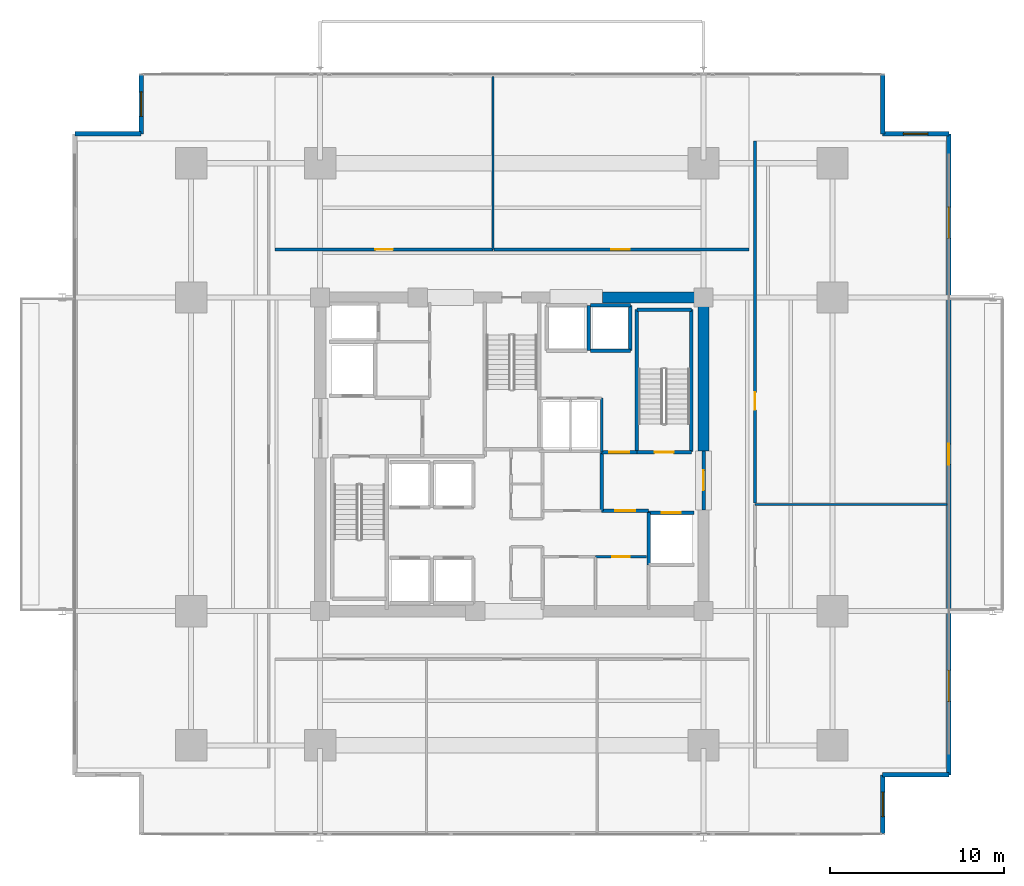
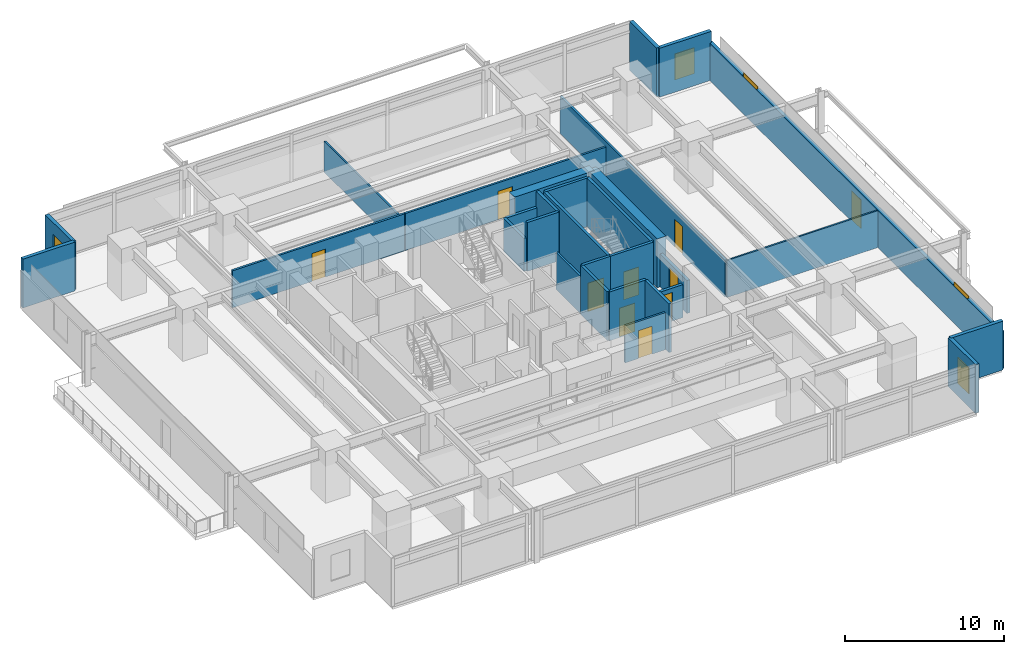
# One storey, part 15 of 20: 30 walls, 10 doors, 5 windows, 15 openings.
"""IFC4 building model written with IfcOpenShell, lengths in metres."""

from ifc_helpers import new_model, si_unit, direction, frame, frame_2d, origin, place, context, subcontext, project, spatial, rectangle, extrude, material, layer, layer_set, type_object, element, fill, save


model = new_model("IFC4")

# Units and contexts
model_context = context("Model", 3, precision=1e-05, world=origin(), true_north=direction((0.0, 1.0)))
body_context = subcontext(model_context, "Body", "Model", "MODEL_VIEW")
ifc_project = project(units=[si_unit("LENGTHUNIT", "METRE"), si_unit("AREAUNIT", "SQUARE_METRE"), si_unit("VOLUMEUNIT", "CUBIC_METRE"), si_unit("PLANEANGLEUNIT", "RADIAN"), si_unit("MASSUNIT", "GRAM", prefix="KILO")], contexts=[model_context])

# Site, building, storey
site_placement = place(None, origin())
site = spatial("IfcSite", under=ifc_project, at=site_placement, CompositionType="ELEMENT")
building_placement = place(site_placement, origin())
building = spatial("IfcBuilding", under=site, at=building_placement, Name="Kovane Verandah Tower", CompositionType="ELEMENT")
storey_placement = place(building_placement, frame((0.0, 0.0, 35.60009765625)))
storey = spatial("IfcBuildingStorey", under=building, at=storey_placement, Name="L07", CompositionType="ELEMENT", Elevation=35.60009765625)

# Wall, opening, door
ifc_material_1 = material(Name="Fire-Rated Gypsum Stud Partition", Category="gypsum")
ifc_layer_1 = layer(ifc_material_1, 0.14990234375)
ifc_layer_set_1 = layer_set([ifc_layer_1], Name="Fire-Rated Gypsum Stud Partition")
wall_type_1 = type_object("IfcWallType", Name="WL-COR-150", PredefinedType="PARTITIONING", material=ifc_layer_set_1)
wall_1_placement = place(storey_placement, frame((44.800048828125, 21.6201171875, 0.0), z_axis=(0.0, 0.0, 1.0), x_axis=(1.0, 0.0, 0.0)))
wall_1 = element("IfcWall", 1, at=wall_1_placement, inside=storey, type_object=wall_type_1, Name="L07 East IT Server Room Partition", PredefinedType="PARTITIONING", context=body_context, shape_type="SweptSolid", body=[
    extrude(rectangle(XDim=2.93994140625, YDim=0.14990234375, at=frame_2d((1.469970703125, 0.0))), origin(), (0.0, 0.0, 1.0), 2.849853515625),
])
opening_1_placement = place(wall_1_placement, frame((0.969970703125, 0.0, 0.0)))
opening_1 = element("IfcOpeningElement", 2, at=opening_1_placement, cuts=wall_1, Name="Opening DR-L07-015", PredefinedType="OPENING", context=body_context, shape_type="SweptSolid", body=[
    extrude(rectangle(XDim=1.0, YDim=2.14990234375, at=frame_2d((0.5, 1.074951171875))), frame((0.0, 0.074951171875, 0.0), z_axis=(0.0, -1.0, 0.0), x_axis=(1.0, 0.0, 0.0)), (0.0, 0.0, 1.0), 0.14990234375),
])
ifc_material_2 = material(Name="FSC Spotted-Gum Timber Fire-Rated Office Door", Category="wood")
door_type_1 = type_object("IfcDoorType", Name="DR-OFF-1000", OperationType="SINGLE_SWING_LEFT", PredefinedType="DOOR", material=ifc_material_2)
door_1_placement = place(opening_1_placement, origin())
door_1 = element("IfcDoor", 3, at=door_1_placement, inside=storey, type_object=door_type_1, Name="L07 East IT Server Room Door", OperationType="SINGLE_SWING_LEFT", OverallHeight=2.14990234375, OverallWidth=1.0, PredefinedType="DOOR", context=body_context, shape_type="SweptSolid", body=[
    extrude(rectangle(XDim=1.0, YDim=2.14990234375, at=frame_2d((0.5, 1.074951171875))), frame((0.0, 0.02490234375, 0.0), z_axis=(0.0, -1.0, 0.0), x_axis=(1.0, 0.0, 0.0)), (0.0, 0.0, 1.0), 0.050048828125),
])
fill(opening_1, door_1)

# Wall
wall_2_placement = place(storey_placement, frame((45.14990234375, 27.6201171875, 0.0), z_axis=(0.0, 0.0, 1.0), x_axis=(0.0, 1.0, 0.0)))
element("IfcWall", 4, at=wall_2_placement, inside=storey, type_object=wall_type_1, Name="L07 East Core Service Riser East Wall", PredefinedType="PARTITIONING", context=body_context, shape_type="SweptSolid", body=[
    extrude(rectangle(XDim=3.099853515625, YDim=0.14990234375, at=frame_2d((1.5498046875, 0.0))), origin(), (0.0, 0.0, 1.0), 2.849853515625),
])

# Wall, opening, door
wall_3_placement = place(storey_placement, frame((26.39990234375, 39.25, 0.0), z_axis=(0.0, 0.0, 1.0), x_axis=(1.0, 0.0, 0.0)))
wall_3 = element("IfcWall", 5, at=wall_3_placement, inside=storey, type_object=wall_type_1, Name="L07 Open Plan Office N1 Corridor Partition", PredefinedType="PARTITIONING", context=body_context, shape_type="SweptSolid", body=[
    extrude(rectangle(XDim=12.51220703125, YDim=0.14990234375, at=frame_2d((6.256103515625, 0.0))), origin(), (0.0, 0.0, 1.0), 2.849853515625),
])
opening_2_placement = place(wall_3_placement, frame((5.77099609375, 0.0, 0.0)))
opening_2 = element("IfcOpeningElement", 6, at=opening_2_placement, cuts=wall_3, Name="Opening DR-L07-019", PredefinedType="OPENING", context=body_context, shape_type="SweptSolid", body=[
    extrude(rectangle(XDim=1.0, YDim=2.14990234375, at=frame_2d((0.5, 1.074951171875))), frame((0.0, 0.074951171875, 0.0), z_axis=(0.0, -1.0, 0.0), x_axis=(1.0, 0.0, 0.0)), (0.0, 0.0, 1.0), 0.14990234375),
])
door_2_placement = place(opening_2_placement, origin())
door_2 = element("IfcDoor", 7, at=door_2_placement, inside=storey, type_object=door_type_1, Name="L07 Open Plan Office N1 Entrance Door", OperationType="SINGLE_SWING_LEFT", OverallHeight=2.14990234375, OverallWidth=1.0, PredefinedType="DOOR", context=body_context, shape_type="SweptSolid", body=[
    extrude(rectangle(XDim=1.0, YDim=2.14990234375, at=frame_2d((0.5, 1.074951171875))), frame((0.0, 0.02490234375, 0.0), z_axis=(0.0, -1.0, 0.0), x_axis=(1.0, 0.0, 0.0)), (0.0, 0.0, 1.0), 0.050048828125),
])
fill(opening_2, door_2)

wall_4_placement = place(storey_placement, frame((38.98193359375, 39.25, 0.0), z_axis=(0.0, 0.0, 1.0), x_axis=(1.0, 0.0, 0.0)))
wall_4 = element("IfcWall", 8, at=wall_4_placement, inside=storey, type_object=wall_type_1, Name="L07 Executive Office N2 Corridor Partition", PredefinedType="PARTITIONING", context=body_context, shape_type="SweptSolid", body=[
    extrude(rectangle(XDim=14.6181640625, YDim=0.14990234375, at=frame_2d((7.30908203125, 0.0))), origin(), (0.0, 0.0, 1.0), 2.849853515625),
])
opening_3_placement = place(wall_4_placement, frame((6.73388671875, 0.0, 0.0)))
opening_3 = element("IfcOpeningElement", 9, at=opening_3_placement, cuts=wall_4, Name="Opening DR-L07-020", PredefinedType="OPENING", context=body_context, shape_type="SweptSolid", body=[
    extrude(rectangle(XDim=1.050048828125, YDim=2.199951171875, at=frame_2d((0.52490234375, 1.10009765625))), frame((0.0, 0.074951171875, 0.0), z_axis=(0.0, -1.0, 0.0), x_axis=(1.0, 0.0, 0.0)), (0.0, 0.0, 1.0), 0.14990234375),
])
ifc_material_3 = material(Name="FSC Blackbutt Timber Fire-Rated Executive Door", Category="wood")
door_type_2 = type_object("IfcDoorType", Name="DR-EXEC-1050", OperationType="SINGLE_SWING_LEFT", PredefinedType="DOOR", material=ifc_material_3)
door_3_placement = place(opening_3_placement, origin())
door_3 = element("IfcDoor", 10, at=door_3_placement, inside=storey, type_object=door_type_2, Name="L07 Executive Office N2 Entrance Door", OperationType="SINGLE_SWING_RIGHT", OverallHeight=2.199951171875, OverallWidth=1.050048828125, PredefinedType="DOOR", context=body_context, shape_type="SweptSolid", body=[
    extrude(rectangle(XDim=1.050048828125, YDim=2.199951171875, at=frame_2d((0.52490234375, 1.10009765625))), frame((0.0, 0.02490234375, 0.0), z_axis=(0.0, -1.0, 0.0), x_axis=(1.0, 0.0, 0.0)), (0.0, 0.0, 1.0), 0.050048828125),
])
fill(opening_3, door_3)

wall_5_placement = place(storey_placement, frame((53.949951171875, 24.691650390625, 0.0), z_axis=(0.0, 0.0, 1.0), x_axis=(0.0, 1.0, 0.0)))
wall_5 = element("IfcWall", 11, at=wall_5_placement, inside=storey, type_object=wall_type_1, Name="L07 Document and Print Room E2 Corridor Partition", PredefinedType="PARTITIONING", context=body_context, shape_type="SweptSolid", body=[
    extrude(rectangle(XDim=20.797607421875, YDim=0.14990234375, at=frame_2d((10.39892578125, 0.0))), origin(), (0.0, 0.0, 1.0), 2.849853515625),
])
opening_4_placement = place(wall_5_placement, frame((5.354248046875, 0.0, 0.0)))
opening_4 = element("IfcOpeningElement", 12, at=opening_4_placement, cuts=wall_5, Name="Opening DR-L07-013", PredefinedType="OPENING", context=body_context, shape_type="SweptSolid", body=[
    extrude(rectangle(XDim=1.0, YDim=2.14990234375, at=frame_2d((0.5, 1.074951171875))), frame((0.0, 0.074951171875, 0.0), z_axis=(0.0, -1.0, 0.0), x_axis=(1.0, 0.0, 0.0)), (0.0, 0.0, 1.0), 0.14990234375),
])
door_4_placement = place(opening_4_placement, origin())
door_4 = element("IfcDoor", 13, at=door_4_placement, inside=storey, type_object=door_type_1, Name="L07 Document and Print Room E2 Entrance Door", OperationType="SINGLE_SWING_RIGHT", OverallHeight=2.14990234375, OverallWidth=1.0, PredefinedType="DOOR", context=body_context, shape_type="SweptSolid", body=[
    extrude(rectangle(XDim=1.0, YDim=2.14990234375, at=frame_2d((0.5, 1.074951171875))), frame((0.0, 0.02490234375, 0.0), z_axis=(0.0, -1.0, 0.0), x_axis=(1.0, 0.0, 0.0)), (0.0, 0.0, 1.0), 0.050048828125),
])
fill(opening_4, door_4)

# Walls
ifc_material_4 = material(Name="Concrete C80/95", Category="concrete")
ifc_layer_2 = layer(ifc_material_4, 0.64990234375)
ifc_layer_set_2 = layer_set([ifc_layer_2], Name="Concrete C80/95")
wall_type_2 = type_object("IfcWallType", Name="WL-CORE-650", PredefinedType="SHEAR", material=ifc_layer_set_2)
wall_6_placement = place(storey_placement, frame((45.199951171875, 36.5, 0.0), z_axis=(0.0, 0.0, 1.0), x_axis=(1.0, 0.0, 0.0)))
element("IfcWall", 14, at=wall_6_placement, inside=storey, type_object=wall_type_2, Name="L07 Core Shear Wall CN-3", PredefinedType="SHEAR", context=body_context, shape_type="SweptSolid", body=[
    extrude(rectangle(XDim=5.800048828125, YDim=0.64990234375, at=frame_2d((2.89990234375, 0.0))), origin(), (0.0, 0.0, 1.0), 3.760009765625),
])
wall_7_placement = place(storey_placement, frame((51.0, 27.699951171875, 0.0), z_axis=(0.0, 0.0, 1.0), x_axis=(0.0, 1.0, 0.0)))
element("IfcWall", 15, at=wall_7_placement, inside=storey, type_object=wall_type_2, Name="L07 Core Shear Wall CE-2", PredefinedType="SHEAR", context=body_context, shape_type="SweptSolid", body=[
    extrude(rectangle(XDim=8.800048828125, YDim=0.64990234375, at=frame_2d((4.39990234375, 0.0))), origin(), (0.0, 0.0, 1.0), 3.760009765625),
])
ifc_material_5 = material(Name="Concrete C45/55 Fire Wall", Category="concrete")
ifc_layer_3 = layer(ifc_material_5, 0.199951171875)
ifc_layer_set_3 = layer_set([ifc_layer_3], Name="Concrete C45/55 Fire Wall")
wall_type_3 = type_object("IfcWallType", Name="WL-FFL-200", PredefinedType="PARTITIONING", material=ifc_layer_set_3)
wall_8_placement = place(storey_placement, frame((45.14990234375, 24.25, 0.0), z_axis=(0.0, 0.0, 1.0), x_axis=(0.0, 1.0, 0.0)))
element("IfcWall", 16, at=wall_8_placement, inside=storey, type_object=wall_type_3, Name="L07 East Firefighting Lobby West Fire Wall", PredefinedType="PARTITIONING", context=body_context, shape_type="SweptSolid", body=[
    extrude(rectangle(XDim=3.3701171875, YDim=0.199951171875, at=frame_2d((1.68505859375, 0.0))), origin(), (0.0, 0.0, 1.0), 3.760009765625),
])

# Wall, opening, door
wall_9_placement = place(storey_placement, frame((45.14990234375, 24.25, 0.0), z_axis=(0.0, 0.0, 1.0), x_axis=(1.0, 0.0, 0.0)))
wall_9 = element("IfcWall", 17, at=wall_9_placement, inside=storey, type_object=wall_type_3, Name="W-L07-FFLE-S", PredefinedType="PARTITIONING", context=body_context, shape_type="SweptSolid", body=[
    extrude(rectangle(XDim=2.7001953125, YDim=0.199951171875, at=frame_2d((1.35009765625, 0.0))), origin(), (0.0, 0.0, 1.0), 3.760009765625),
])
opening_5_placement = place(wall_9_placement, frame((0.77490234375, 0.0, 0.0)))
opening_5 = element("IfcOpeningElement", 18, at=opening_5_placement, cuts=wall_9, Name="Opening DR-L07-003", PredefinedType="OPENING", context=body_context, shape_type="SweptSolid", body=[
    extrude(rectangle(XDim=1.14990234375, YDim=2.199951171875, at=frame_2d((0.574951171875, 1.10009765625))), frame((0.0, 0.10009765625, 0.0), z_axis=(0.0, -1.0, 0.0), x_axis=(1.0, 0.0, 0.0)), (0.0, 0.0, 1.0), 0.199951171875),
])
ifc_material_6 = material(Name="Smoke-Sealed Firefighting Lobby Door", Category="steel")
door_type_3 = type_object("IfcDoorType", Name="DR-FFL-1150", OperationType="SINGLE_SWING_LEFT", PredefinedType="DOOR", material=ifc_material_6)
door_5_placement = place(opening_5_placement, origin())
door_5 = element("IfcDoor", 19, at=door_5_placement, inside=storey, type_object=door_type_3, Name="L07 East Firefighting Lobby Inner Door", OperationType="SINGLE_SWING_RIGHT", OverallHeight=2.199951171875, OverallWidth=1.14990234375, PredefinedType="DOOR", context=body_context, shape_type="SweptSolid", body=[
    extrude(rectangle(XDim=1.14990234375, YDim=2.199951171875, at=frame_2d((0.574951171875, 1.10009765625))), frame((0.0, 0.02490234375, 0.0), z_axis=(0.0, -1.0, 0.0), x_axis=(1.0, 0.0, 0.0)), (0.0, 0.0, 1.0), 0.050048828125),
])
fill(opening_5, door_5)

wall_10_placement = place(storey_placement, frame((45.14990234375, 27.6201171875, 0.0), z_axis=(0.0, 0.0, 1.0), x_axis=(1.0, 0.0, 0.0)))
wall_10 = element("IfcWall", 20, at=wall_10_placement, inside=storey, type_object=wall_type_3, Name="W-L07-FFLE-N", PredefinedType="PARTITIONING", context=body_context, shape_type="SweptSolid", body=[
    extrude(rectangle(XDim=2.030029296875, YDim=0.199951171875, at=frame_2d((1.01513671875, 0.0))), origin(), (0.0, 0.0, 1.0), 3.760009765625),
])
opening_6_placement = place(wall_10_placement, frame((0.43994140625, 0.0, 0.0)))
opening_6 = element("IfcOpeningElement", 21, at=opening_6_placement, cuts=wall_10, Name="Opening DR-L07-004", PredefinedType="OPENING", context=body_context, shape_type="SweptSolid", body=[
    extrude(rectangle(XDim=1.14990234375, YDim=2.199951171875, at=frame_2d((0.574951171875, 1.10009765625))), frame((0.0, 0.10009765625, 0.0), z_axis=(0.0, -1.0, 0.0), x_axis=(1.0, 0.0, 0.0)), (0.0, 0.0, 1.0), 0.199951171875),
])
door_6_placement = place(opening_6_placement, origin())
door_6 = element("IfcDoor", 22, at=door_6_placement, inside=storey, type_object=door_type_3, Name="L07 East Firefighting Lobby Shuttle Link Door", OperationType="SINGLE_SWING_LEFT", OverallHeight=2.199951171875, OverallWidth=1.14990234375, PredefinedType="DOOR", context=body_context, shape_type="SweptSolid", body=[
    extrude(rectangle(XDim=1.14990234375, YDim=2.199951171875, at=frame_2d((0.574951171875, 1.10009765625))), frame((0.0, 0.02490234375, 0.0), z_axis=(0.0, -1.0, 0.0), x_axis=(1.0, 0.0, 0.0)), (0.0, 0.0, 1.0), 0.050048828125),
])
fill(opening_6, door_6)

wall_11_placement = place(storey_placement, frame((51.0, 24.300048828125, 0.0), z_axis=(0.0, 0.0, 1.0), x_axis=(0.0, 1.0, 0.0)))
wall_11 = element("IfcWall", 23, at=wall_11_placement, inside=storey, type_object=wall_type_3, Name="W-L07-FFLE-OUT", PredefinedType="PARTITIONING", context=body_context, shape_type="SweptSolid", body=[
    extrude(rectangle(XDim=3.39990234375, YDim=0.199951171875, at=frame_2d((1.699951171875, 0.0))), origin(), (0.0, 0.0, 1.0), 2.539794921875),
])
opening_7_placement = place(wall_11_placement, frame((1.125, 0.0, 0.0)))
opening_7 = element("IfcOpeningElement", 24, at=opening_7_placement, cuts=wall_11, Name="Opening DR-L07-005", PredefinedType="OPENING", context=body_context, shape_type="SweptSolid", body=[
    extrude(rectangle(XDim=1.14990234375, YDim=2.199951171875, at=frame_2d((0.574951171875, 1.10009765625))), frame((0.0, 0.10009765625, 0.0), z_axis=(0.0, -1.0, 0.0), x_axis=(1.0, 0.0, 0.0)), (0.0, 0.0, 1.0), 0.199951171875),
])
door_7_placement = place(opening_7_placement, origin())
door_7 = element("IfcDoor", 25, at=door_7_placement, inside=storey, type_object=door_type_3, Name="L07 East Firefighting Lobby Corridor Door", OperationType="SINGLE_SWING_LEFT", OverallHeight=2.199951171875, OverallWidth=1.14990234375, PredefinedType="DOOR", context=body_context, shape_type="SweptSolid", body=[
    extrude(rectangle(XDim=1.14990234375, YDim=2.199951171875, at=frame_2d((0.574951171875, 1.10009765625))), frame((0.0, 0.02490234375, 0.0), z_axis=(0.0, -1.0, 0.0), x_axis=(1.0, 0.0, 0.0)), (0.0, 0.0, 1.0), 0.050048828125),
])
fill(opening_7, door_7)

ifc_material_7 = material(Name="Concrete C45/55 Lift Shaft Wall", Category="concrete")
ifc_layer_4 = layer(ifc_material_7, 0.199951171875)
ifc_layer_set_4 = layer_set([ifc_layer_4], Name="Concrete C45/55 Lift Shaft Wall")
wall_type_4 = type_object("IfcWallType", Name="WL-LIFT-200", PredefinedType="SOLIDWALL", material=ifc_layer_set_4)
wall_12_placement = place(storey_placement, frame((50.449951171875, 24.14990234375, 0.0), z_axis=(0.0, 0.0, 1.0), x_axis=(-1.0, 0.0, 0.0)))
wall_12 = element("IfcWall", 26, at=wall_12_placement, inside=storey, type_object=wall_type_4, Name="L07 Lift FL-02 N Shaft Wall", PredefinedType="SOLIDWALL", context=body_context, shape_type="SweptSolid", body=[
    extrude(rectangle(XDim=2.599853515625, YDim=0.199951171875, at=frame_2d((1.2998046875, 0.0))), origin(), (0.0, 0.0, 1.0), 2.539794921875),
])
opening_8_placement = place(wall_12_placement, frame((0.75, 0.0, 0.0)))
opening_8 = element("IfcOpeningElement", 27, at=opening_8_placement, cuts=wall_12, Name="Opening LD-L07-002", PredefinedType="OPENING", context=body_context, shape_type="SweptSolid", body=[
    extrude(rectangle(XDim=1.10009765625, YDim=2.199951171875, at=frame_2d((0.550048828125, 1.10009765625))), frame((0.0, 0.10009765625, 0.0), z_axis=(0.0, -1.0, 0.0), x_axis=(1.0, 0.0, 0.0)), (0.0, 0.0, 1.0), 0.199951171875),
])
ifc_material_8 = material(Name="Brushed Stainless Steel Sliding Lift Landing Door", Category="steel")
door_type_4 = type_object("IfcDoorType", Name="DR-LIFT-1100", OperationType="SLIDING_TO_RIGHT", PredefinedType="DOOR", material=ifc_material_8)
door_8_placement = place(opening_8_placement, origin())
door_8 = element("IfcDoor", 28, at=door_8_placement, inside=storey, type_object=door_type_4, Name="L07 Lift FL-02 Sliding Landing Door", OperationType="SLIDING_TO_RIGHT", OverallHeight=2.199951171875, OverallWidth=1.10009765625, PredefinedType="DOOR", context=body_context, shape_type="SweptSolid", body=[
    extrude(rectangle(XDim=1.10009765625, YDim=2.199951171875, at=frame_2d((0.550048828125, 1.10009765625))), frame((0.0, 0.02490234375, 0.0), z_axis=(0.0, -1.0, 0.0), x_axis=(1.0, 0.0, 0.0)), (0.0, 0.0, 1.0), 0.050048828125),
])
fill(opening_8, door_8)

# Walls
wall_13_placement = place(storey_placement, frame((47.85009765625, 24.14990234375, 0.0), z_axis=(0.0, 0.0, 1.0), x_axis=(0.0, -1.0, 0.0)))
element("IfcWall", 29, at=wall_13_placement, inside=storey, type_object=wall_type_4, Name="L07 Lift FL-02 W Shaft Wall", PredefinedType="SOLIDWALL", context=body_context, shape_type="SweptSolid", body=[
    extrude(rectangle(XDim=3.0, YDim=0.199951171875, at=frame_2d((1.5, 0.0))), origin(), (0.0, 0.0, 1.0), 3.760009765625),
])
wall_14_placement = place(storey_placement, frame((44.39990234375, 33.449951171875, 0.0), z_axis=(0.0, 0.0, 1.0), x_axis=(0.0, 1.0, 0.0)))
element("IfcWall", 30, at=wall_14_placement, inside=storey, type_object=wall_type_4, Name="L07 Lift OL-01 and SL-01 Shared Shaft Wall", PredefinedType="SOLIDWALL", context=body_context, shape_type="SweptSolid", body=[
    extrude(rectangle(XDim=2.60009765625, YDim=0.199951171875, at=frame_2d((1.300048828125, 0.0))), origin(), (0.0, 0.0, 1.0), 2.539794921875),
])
wall_15_placement = place(storey_placement, frame((44.5, 33.449951171875, 0.0), z_axis=(0.0, 0.0, 1.0), x_axis=(1.0, 0.0, 0.0)))
element("IfcWall", 31, at=wall_15_placement, inside=storey, type_object=wall_type_4, Name="L07 Lift OL-01 S Shaft Wall", PredefinedType="SOLIDWALL", context=body_context, shape_type="SweptSolid", body=[
    extrude(rectangle(XDim=2.300048828125, YDim=0.199951171875, at=frame_2d((1.14990234375, 0.0))), origin(), (0.0, 0.0, 1.0), 3.760009765625),
])
wall_16_placement = place(storey_placement, frame((46.800048828125, 36.050048828125, 0.0), z_axis=(0.0, 0.0, 1.0), x_axis=(-1.0, 0.0, 0.0)))
element("IfcWall", 32, at=wall_16_placement, inside=storey, type_object=wall_type_4, Name="L07 Lift OL-01 N Shaft Wall", PredefinedType="SOLIDWALL", context=body_context, shape_type="SweptSolid", body=[
    extrude(rectangle(XDim=2.300048828125, YDim=0.199951171875, at=frame_2d((1.14990234375, 0.0))), origin(), (0.0, 0.0, 1.0), 2.539794921875),
])
wall_17_placement = place(storey_placement, frame((46.800048828125, 33.449951171875, 0.0), z_axis=(0.0, 0.0, 1.0), x_axis=(0.0, 1.0, 0.0)))
element("IfcWall", 33, at=wall_17_placement, inside=storey, type_object=wall_type_4, Name="L07 Lift OL-01 E Shaft Wall", PredefinedType="SOLIDWALL", context=body_context, shape_type="SweptSolid", body=[
    extrude(rectangle(XDim=2.60009765625, YDim=0.199951171875, at=frame_2d((1.300048828125, 0.0))), origin(), (0.0, 0.0, 1.0), 3.760009765625),
])
ifc_material_9 = material(Name="Acoustic Fire-Rated Gypsum Partition", Category="gypsum")
ifc_layer_5 = layer(ifc_material_9, 0.1201171875)
ifc_layer_set_5 = layer_set([ifc_layer_5], Name="Acoustic Fire-Rated Gypsum Partition")
wall_type_5 = type_object("IfcWallType", Name="WL-PART-120", PredefinedType="PARTITIONING", material=ifc_layer_set_5)
wall_18_placement = place(storey_placement, frame((38.912109375, 39.25, 0.0), z_axis=(0.0, 0.0, 1.0), x_axis=(0.0, 1.0, 0.0)))
element("IfcWall", 34, at=wall_18_placement, inside=storey, type_object=wall_type_5, Name="L07 Open Plan Office N1 Dividing Partition", PredefinedType="PARTITIONING", context=body_context, shape_type="SweptSolid", body=[
    extrude(rectangle(XDim=9.939208984375, YDim=0.1201171875, at=frame_2d((4.9697265625, 0.0))), origin(), (0.0, 0.0, 1.0), 2.389892578125),
])
wall_19_placement = place(storey_placement, frame((53.949951171875, 24.62158203125, 0.0), z_axis=(0.0, 0.0, 1.0), x_axis=(1.0, 0.0, 0.0)))
element("IfcWall", 35, at=wall_19_placement, inside=storey, type_object=wall_type_5, Name="L07 Collaboration Hub E1 Dividing Partition", PredefinedType="PARTITIONING", context=body_context, shape_type="SweptSolid", body=[
    extrude(rectangle(XDim=11.0205078125, YDim=0.1201171875, at=frame_2d((5.51025390625, 0.0))), origin(), (0.0, 0.0, 1.0), 2.849853515625),
])
ifc_material_10 = material(Name="Concrete C45/55", Category="concrete")
ifc_layer_6 = layer(ifc_material_10, 0.199951171875)
ifc_layer_set_6 = layer_set([ifc_layer_6], Name="Concrete C45/55")
wall_type_6 = type_object("IfcWallType", Name="WL-SHAFT-200", PredefinedType="SOLIDWALL", material=ifc_layer_set_6)
wall_20_placement = place(storey_placement, frame((50.300048828125, 27.64990234375, 0.0), z_axis=(0.0, 0.0, 1.0), x_axis=(0.0, 1.0, 0.0)))
element("IfcWall", 36, at=wall_20_placement, inside=storey, type_object=wall_type_6, Name="W-L07-ST02-E", PredefinedType="SOLIDWALL", context=body_context, shape_type="SweptSolid", body=[
    extrude(rectangle(XDim=8.150146484375, YDim=0.199951171875, at=frame_2d((4.0751953125, 0.0))), origin(), (0.0, 0.0, 1.0), 3.760009765625),
])
wall_21_placement = place(storey_placement, frame((47.179931640625, 35.800048828125, 0.0), z_axis=(0.0, 0.0, 1.0), x_axis=(1.0, 0.0, 0.0)))
element("IfcWall", 37, at=wall_21_placement, inside=storey, type_object=wall_type_6, Name="W-L07-ST02-N", PredefinedType="SOLIDWALL", context=body_context, shape_type="SweptSolid", body=[
    extrude(rectangle(XDim=3.1201171875, YDim=0.199951171875, at=frame_2d((1.56005859375, 0.0))), origin(), (0.0, 0.0, 1.0), 3.760009765625),
])
wall_22_placement = place(storey_placement, frame((47.179931640625, 27.6201171875, 0.0), z_axis=(0.0, 0.0, 1.0), x_axis=(0.0, 1.0, 0.0)))
element("IfcWall", 38, at=wall_22_placement, inside=storey, type_object=wall_type_6, Name="W-L07-ST02-W", PredefinedType="SOLIDWALL", context=body_context, shape_type="SweptSolid", body=[
    extrude(rectangle(XDim=8.179931640625, YDim=0.199951171875, at=frame_2d((4.08984375, 0.0))), origin(), (0.0, 0.0, 1.0), 3.760009765625),
])

# Wall, opening, door
wall_23_placement = place(storey_placement, frame((47.179931640625, 27.6201171875, 0.0), z_axis=(0.0, 0.0, 1.0), x_axis=(1.0, 0.0, 0.0)))
wall_23 = element("IfcWall", 39, at=wall_23_placement, inside=storey, type_object=wall_type_6, Name="W-L07-ST02-S", PredefinedType="SOLIDWALL", context=body_context, shape_type="SweptSolid", body=[
    extrude(rectangle(XDim=3.1201171875, YDim=0.199951171875, at=frame_2d((1.56005859375, 0.0))), origin(), (0.0, 0.0, 1.0), 3.760009765625),
])
opening_9_placement = place(wall_23_placement, frame((1.010009765625, 0.0, 0.0)))
opening_9 = element("IfcOpeningElement", 40, at=opening_9_placement, cuts=wall_23, Name="Opening DR-L07-010", PredefinedType="OPENING", context=body_context, shape_type="SweptSolid", body=[
    extrude(rectangle(XDim=1.10009765625, YDim=2.14990234375, at=frame_2d((0.550048828125, 1.074951171875))), frame((0.0, 0.10009765625, 0.0), z_axis=(0.0, -1.0, 0.0), x_axis=(1.0, 0.0, 0.0)), (0.0, 0.0, 1.0), 0.199951171875),
])
ifc_material_11 = material(Name="Fire-Rated Steel Exit Door", Category="steel")
door_type_5 = type_object("IfcDoorType", Name="DR-STAIR-1100", OperationType="SINGLE_SWING_LEFT", PredefinedType="DOOR", material=ifc_material_11)
door_9_placement = place(opening_9_placement, origin())
door_9 = element("IfcDoor", 41, at=door_9_placement, inside=storey, type_object=door_type_5, Name="L07 ST-02 Fire Exit Stair Door", OperationType="SINGLE_SWING_LEFT", OverallHeight=2.14990234375, OverallWidth=1.10009765625, PredefinedType="DOOR", context=body_context, shape_type="SweptSolid", body=[
    extrude(rectangle(XDim=1.10009765625, YDim=2.14990234375, at=frame_2d((0.550048828125, 1.074951171875))), frame((0.0, 0.02490234375, 0.0), z_axis=(0.0, -1.0, 0.0), x_axis=(1.0, 0.0, 0.0)), (0.0, 0.0, 1.0), 0.050048828125),
])
fill(opening_9, door_9)

# Wall, openings, door, windows
ifc_material_12 = material(Name="Concrete C45/55 Insulated Spandrel Wall", Category="concrete")
ifc_layer_7 = layer(ifc_material_12, 0.260009765625)
ifc_layer_set_7 = layer_set([ifc_layer_7], Name="Concrete C45/55 Insulated Spandrel Wall")
wall_type_7 = type_object("IfcWallType", Name="WL-SPANDREL-260", PredefinedType="PARAPET", material=ifc_layer_set_7)
wall_24_placement = place(storey_placement, frame((65.0703125, 9.110595703125, 0.0), z_axis=(0.0, 0.0, 1.0), x_axis=(0.0, 1.0, 0.0)))
wall_24 = element("IfcWall", 42, at=wall_24_placement, inside=storey, type_object=wall_type_7, Name="L07 E Verandah Access Facade Wall", PredefinedType="PARAPET", context=body_context, shape_type="SweptSolid", body=[
    extrude(rectangle(XDim=36.77880859375, YDim=0.260009765625, at=frame_2d((18.389404296875, 0.0))), origin(), (0.0, 0.0, 1.0), 2.88916015625),
])
opening_10_placement = place(wall_24_placement, frame((4.199951171875, 0.0, 0.85009765625)))
opening_10 = element("IfcOpeningElement", 43, at=opening_10_placement, cuts=wall_24, Name="Opening W-03", PredefinedType="OPENING", context=body_context, shape_type="SweptSolid", body=[
    extrude(rectangle(XDim=1.800048828125, YDim=2.199951171875, at=frame_2d((0.89990234375, 1.10009765625))), frame((0.0, 0.1298828125, 0.0), z_axis=(0.0, -1.0, 0.0), x_axis=(1.0, 0.0, 0.0)), (0.0, 0.0, 1.0), 0.260009765625),
])
opening_11_placement = place(wall_24_placement, frame((17.789306640625, 0.0, 0.0)))
opening_11 = element("IfcOpeningElement", 44, at=opening_11_placement, cuts=wall_24, Name="Opening DR-L07-001", PredefinedType="OPENING", context=body_context, shape_type="SweptSolid", body=[
    extrude(rectangle(XDim=1.199951171875, YDim=2.199951171875, at=frame_2d((0.60009765625, 1.10009765625))), frame((0.0, 0.1298828125, 0.0), z_axis=(0.0, -1.0, 0.0), x_axis=(1.0, 0.0, 0.0)), (0.0, 0.0, 1.0), 0.260009765625),
])
opening_12_placement = place(wall_24_placement, frame((30.778564453125, 0.0, 0.85009765625)))
opening_12 = element("IfcOpeningElement", 45, at=opening_12_placement, cuts=wall_24, Name="Opening W-03", PredefinedType="OPENING", context=body_context, shape_type="SweptSolid", body=[
    extrude(rectangle(XDim=1.800048828125, YDim=2.199951171875, at=frame_2d((0.89990234375, 1.10009765625))), frame((0.0, 0.1298828125, 0.0), z_axis=(0.0, -1.0, 0.0), x_axis=(1.0, 0.0, 0.0)), (0.0, 0.0, 1.0), 0.260009765625),
])
ifc_material_13 = material(Name="Cyclone-Rated Glazed Balcony Leaf Door", Category="aluminium")
door_type_6 = type_object("IfcDoorType", Name="DR-BAL-1200x2200", OperationType="SINGLE_SWING_LEFT", PredefinedType="DOOR", material=ifc_material_13)
door_10_placement = place(opening_11_placement, origin())
door_10 = element("IfcDoor", 46, at=door_10_placement, inside=storey, type_object=door_type_6, Name="L07 E Planted Balcony Access Door", OperationType="SINGLE_SWING_LEFT", OverallHeight=2.199951171875, OverallWidth=1.199951171875, PredefinedType="DOOR", context=body_context, shape_type="SweptSolid", body=[
    extrude(rectangle(XDim=1.199951171875, YDim=2.199951171875, at=frame_2d((0.60009765625, 1.10009765625))), frame((0.0, 0.02490234375, 0.0), z_axis=(0.0, -1.0, 0.0), x_axis=(1.0, 0.0, 0.0)), (0.0, 0.0, 1.0), 0.050048828125),
])
fill(opening_11, door_10)
ifc_material_14 = material(Name="Clear Low-E Laminated Double Glazing in Anodised Frame", Category="glass")
window_type_1 = type_object("IfcWindowType", Name="WN-NOTCH-1800x2200", PartitioningType="SINGLE_PANEL", PredefinedType="WINDOW", material=ifc_material_14)
window_1_placement = place(opening_10_placement, origin())
window_1 = element("IfcWindow", 47, at=window_1_placement, inside=storey, type_object=window_type_1, Name="L07 E Verandah View Window 1", OverallHeight=2.199951171875, OverallWidth=1.800048828125, PartitioningType="SINGLE_PANEL", PredefinedType="WINDOW", context=body_context, shape_type="SweptSolid", body=[
    extrude(rectangle(XDim=1.800048828125, YDim=2.199951171875, at=frame_2d((0.89990234375, 1.10009765625))), frame((0.0, 0.030029296875, 0.0), z_axis=(0.0, -1.0, 0.0), x_axis=(1.0, 0.0, 0.0)), (0.0, 0.0, 1.0), 0.06005859375),
])
fill(opening_10, window_1)
window_2_placement = place(opening_12_placement, origin())
window_2 = element("IfcWindow", 48, at=window_2_placement, inside=storey, type_object=window_type_1, Name="L07 E Verandah View Window 2", OverallHeight=2.199951171875, OverallWidth=1.800048828125, PartitioningType="SINGLE_PANEL", PredefinedType="WINDOW", context=body_context, shape_type="SweptSolid", body=[
    extrude(rectangle(XDim=1.800048828125, YDim=2.199951171875, at=frame_2d((0.89990234375, 1.10009765625))), frame((0.0, 0.030029296875, 0.0), z_axis=(0.0, -1.0, 0.0), x_axis=(1.0, 0.0, 0.0)), (0.0, 0.0, 1.0), 0.06005859375),
])
fill(opening_12, window_2)

# Wall, opening, window
wall_25_placement = place(storey_placement, frame((61.2705078125, 5.710693359375, 0.0), z_axis=(0.0, 0.0, 1.0), x_axis=(0.0, 1.0, 0.0)))
wall_25 = element("IfcWall", 49, at=wall_25_placement, inside=storey, type_object=wall_type_7, Name="L07 SE Notch Cheek Wall 1", PredefinedType="PARAPET", context=body_context, shape_type="SweptSolid", body=[
    extrude(rectangle(XDim=3.39990234375, YDim=0.260009765625, at=frame_2d((1.699951171875, 0.0))), origin(), (0.0, 0.0, 1.0), 3.760009765625),
])
opening_13_placement = place(wall_25_placement, frame((1.0, 0.0, 0.85009765625)))
opening_13 = element("IfcOpeningElement", 50, at=opening_13_placement, cuts=wall_25, Name="Opening W-01", PredefinedType="OPENING", context=body_context, shape_type="SweptSolid", body=[
    extrude(rectangle(XDim=1.39990234375, YDim=2.0, at=frame_2d((0.699951171875, 1.0))), frame((0.0, 0.1298828125, 0.0), z_axis=(0.0, -1.0, 0.0), x_axis=(1.0, 0.0, 0.0)), (0.0, 0.0, 1.0), 0.260009765625),
])
window_type_2 = type_object("IfcWindowType", Name="WN-OPER-1400x2000", PartitioningType="SINGLE_PANEL", PredefinedType="WINDOW", material=ifc_material_14)
window_3_placement = place(opening_13_placement, origin())
window_3 = element("IfcWindow", 51, at=window_3_placement, inside=storey, type_object=window_type_2, Name="L07 SE Re-Entrant Corner Operable Window", OverallHeight=2.0, OverallWidth=1.39990234375, PartitioningType="SINGLE_PANEL", PredefinedType="WINDOW", context=body_context, shape_type="SweptSolid", body=[
    extrude(rectangle(XDim=1.39990234375, YDim=2.0, at=frame_2d((0.699951171875, 1.0))), frame((0.0, 0.030029296875, 0.0), z_axis=(0.0, -1.0, 0.0), x_axis=(1.0, 0.0, 0.0)), (0.0, 0.0, 1.0), 0.06005859375),
])
fill(opening_13, window_3)

# Wall
wall_26_placement = place(storey_placement, frame((61.2705078125, 9.110595703125, 0.0), z_axis=(0.0, 0.0, 1.0), x_axis=(1.0, 0.0, 0.0)))
element("IfcWall", 52, at=wall_26_placement, inside=storey, type_object=wall_type_7, Name="L07 SE Notch Cheek Wall 2", PredefinedType="PARAPET", context=body_context, shape_type="SweptSolid", body=[
    extrude(rectangle(XDim=3.7998046875, YDim=0.260009765625, at=frame_2d((1.89990234375, 0.0))), origin(), (0.0, 0.0, 1.0), 3.760009765625),
])

# Wall, opening, window
wall_27_placement = place(storey_placement, frame((65.0703125, 45.889404296875, 0.0), z_axis=(0.0, 0.0, 1.0), x_axis=(-1.0, 0.0, 0.0)))
wall_27 = element("IfcWall", 53, at=wall_27_placement, inside=storey, type_object=wall_type_7, Name="L07 NE Notch Cheek Wall 1", PredefinedType="PARAPET", context=body_context, shape_type="SweptSolid", body=[
    extrude(rectangle(XDim=3.7998046875, YDim=0.260009765625, at=frame_2d((1.89990234375, 0.0))), origin(), (0.0, 0.0, 1.0), 3.760009765625),
])
opening_14_placement = place(wall_27_placement, frame((1.199951171875, 0.0, 0.85009765625)))
opening_14 = element("IfcOpeningElement", 54, at=opening_14_placement, cuts=wall_27, Name="Opening W-01", PredefinedType="OPENING", context=body_context, shape_type="SweptSolid", body=[
    extrude(rectangle(XDim=1.39990234375, YDim=2.0, at=frame_2d((0.699951171875, 1.0))), frame((0.0, 0.1298828125, 0.0), z_axis=(0.0, -1.0, 0.0), x_axis=(1.0, 0.0, 0.0)), (0.0, 0.0, 1.0), 0.260009765625),
])
window_4_placement = place(opening_14_placement, origin())
window_4 = element("IfcWindow", 55, at=window_4_placement, inside=storey, type_object=window_type_2, Name="L07 NE Re-Entrant Corner Operable Window", OverallHeight=2.0, OverallWidth=1.39990234375, PartitioningType="SINGLE_PANEL", PredefinedType="WINDOW", context=body_context, shape_type="SweptSolid", body=[
    extrude(rectangle(XDim=1.39990234375, YDim=2.0, at=frame_2d((0.699951171875, 1.0))), frame((0.0, 0.030029296875, 0.0), z_axis=(0.0, -1.0, 0.0), x_axis=(1.0, 0.0, 0.0)), (0.0, 0.0, 1.0), 0.06005859375),
])
fill(opening_14, window_4)

# Wall
wall_28_placement = place(storey_placement, frame((61.2705078125, 45.889404296875, 0.0), z_axis=(0.0, 0.0, 1.0), x_axis=(0.0, 1.0, 0.0)))
element("IfcWall", 56, at=wall_28_placement, inside=storey, type_object=wall_type_7, Name="L07 NE Notch Cheek Wall 2", PredefinedType="PARAPET", context=body_context, shape_type="SweptSolid", body=[
    extrude(rectangle(XDim=3.39990234375, YDim=0.260009765625, at=frame_2d((1.699951171875, 0.0))), origin(), (0.0, 0.0, 1.0), 3.760009765625),
])

# Wall, opening, window
wall_29_placement = place(storey_placement, frame((18.7294921875, 49.289306640625, 0.0), z_axis=(0.0, 0.0, 1.0), x_axis=(0.0, -1.0, 0.0)))
wall_29 = element("IfcWall", 57, at=wall_29_placement, inside=storey, type_object=wall_type_7, Name="L07 NW Notch Cheek Wall 1", PredefinedType="PARAPET", context=body_context, shape_type="SweptSolid", body=[
    extrude(rectangle(XDim=3.39990234375, YDim=0.260009765625, at=frame_2d((1.699951171875, 0.0))), origin(), (0.0, 0.0, 1.0), 3.760009765625),
])
opening_15_placement = place(wall_29_placement, frame((1.0, 0.0, 0.85009765625)))
opening_15 = element("IfcOpeningElement", 58, at=opening_15_placement, cuts=wall_29, Name="Opening W-01", PredefinedType="OPENING", context=body_context, shape_type="SweptSolid", body=[
    extrude(rectangle(XDim=1.39990234375, YDim=2.0, at=frame_2d((0.699951171875, 1.0))), frame((0.0, 0.1298828125, 0.0), z_axis=(0.0, -1.0, 0.0), x_axis=(1.0, 0.0, 0.0)), (0.0, 0.0, 1.0), 0.260009765625),
])
window_5_placement = place(opening_15_placement, origin())
window_5 = element("IfcWindow", 59, at=window_5_placement, inside=storey, type_object=window_type_2, Name="L07 NW Re-Entrant Corner Operable Window", OverallHeight=2.0, OverallWidth=1.39990234375, PartitioningType="SINGLE_PANEL", PredefinedType="WINDOW", context=body_context, shape_type="SweptSolid", body=[
    extrude(rectangle(XDim=1.39990234375, YDim=2.0, at=frame_2d((0.699951171875, 1.0))), frame((0.0, 0.030029296875, 0.0), z_axis=(0.0, -1.0, 0.0), x_axis=(1.0, 0.0, 0.0)), (0.0, 0.0, 1.0), 0.06005859375),
])
fill(opening_15, window_5)

# Wall
wall_30_placement = place(storey_placement, frame((18.7294921875, 45.889404296875, 0.0), z_axis=(0.0, 0.0, 1.0), x_axis=(-1.0, 0.0, 0.0)))
element("IfcWall", 60, at=wall_30_placement, inside=storey, type_object=wall_type_7, Name="L07 NW Notch Cheek Wall 2", PredefinedType="PARAPET", context=body_context, shape_type="SweptSolid", body=[
    extrude(rectangle(XDim=3.7998046875, YDim=0.260009765625, at=frame_2d((1.89990234375, 0.0))), origin(), (0.0, 0.0, 1.0), 3.760009765625),
])

save(model, "model.ifc")
